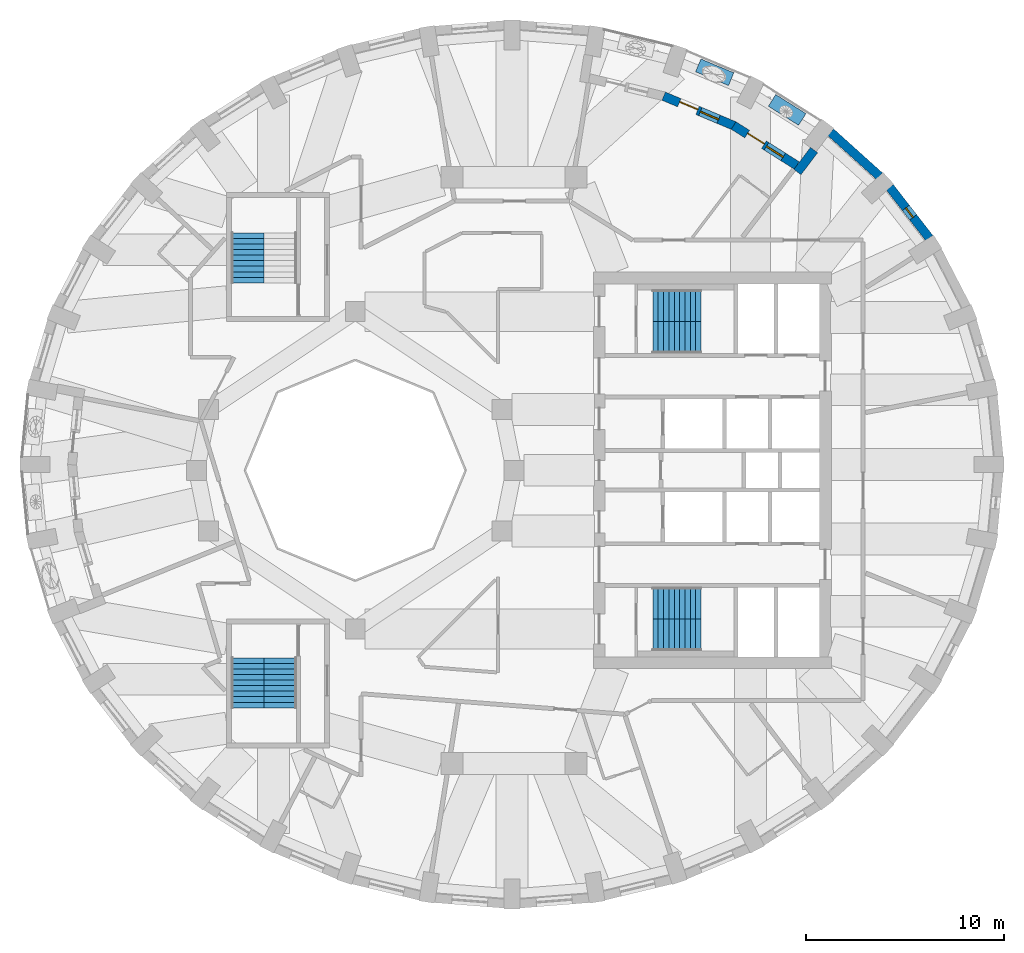
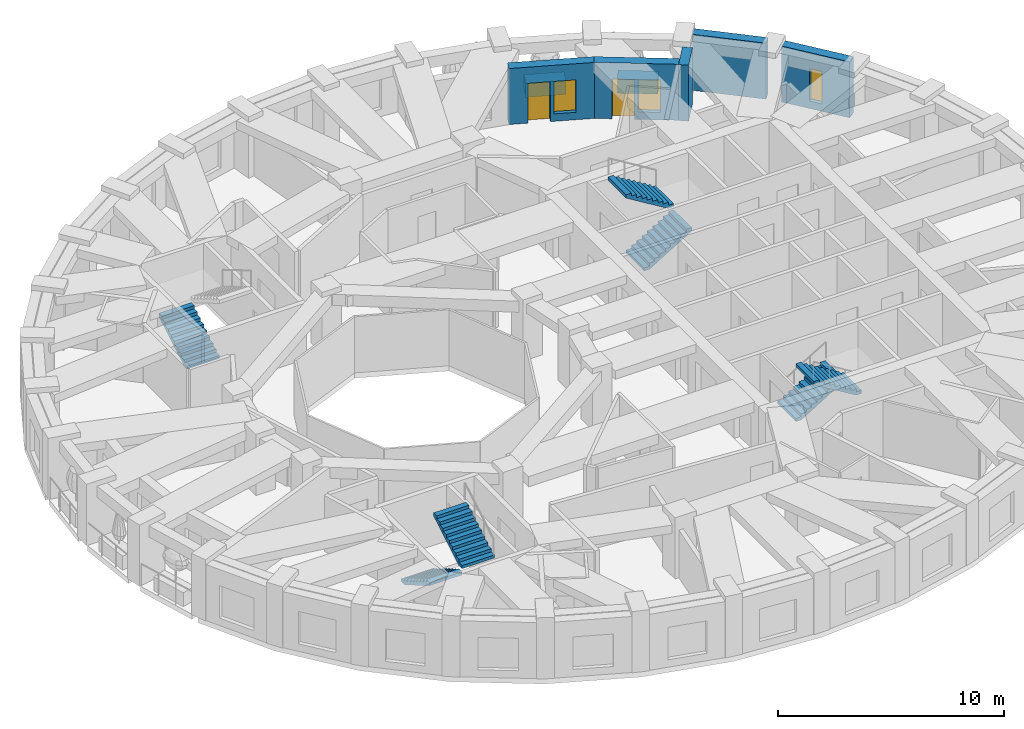
# One storey, part 8 of 12: 7 stair flights, 7 walls, 3 windows, 2 doors, 5 openings, 4 elements without a shape of their own.
"""IFC4 building model written with IfcOpenShell, lengths in metres."""

from ifc_helpers import new_model, si_unit, direction, frame, frame_2d, origin, place, context, subcontext, project, spatial, polyline, rectangle, outline, extrude, material, layer, layer_set, constituent, constituent_set, type_object, element, fill, aggregate, save


model = new_model("IFC4")

# Units and contexts
model_context = context("Model", 3, precision=1e-05, world=origin(), true_north=direction((0.0, 1.0)))
body_context = subcontext(model_context, "Body", "Model", "MODEL_VIEW")
ifc_project = project(units=[si_unit("LENGTHUNIT", "METRE"), si_unit("AREAUNIT", "SQUARE_METRE"), si_unit("VOLUMEUNIT", "CUBIC_METRE"), si_unit("PLANEANGLEUNIT", "RADIAN"), si_unit("MASSUNIT", "GRAM", prefix="KILO")], contexts=[model_context])

# Site, building, storey
site_placement = place(None, origin())
site = spatial("IfcSite", under=ifc_project, at=site_placement, CompositionType="ELEMENT")
building_placement = place(site_placement, origin())
building = spatial("IfcBuilding", under=site, at=building_placement, Name="Taillehof Tower", CompositionType="ELEMENT")
storey_placement = place(building_placement, frame((0.0, 0.0, 239.89990234375)))
storey = spatial("IfcBuildingStorey", under=building, at=storey_placement, Name="L68", CompositionType="ELEMENT", Elevation=239.89990234375)

# Wall, opening, window
ifc_material_1 = material(Name="Brick masonry", Category="masonry")
ifc_layer = layer(ifc_material_1, 0.449951171875)
ifc_layer_set = layer_set([ifc_layer], Name="Brick infill wall 450")
wall_type_1 = type_object("IfcWallType", Name="Brick infill wall 450", PredefinedType="SOLIDWALL", material=ifc_layer_set)
wall_1_placement = place(storey_placement, frame((20.93505859375, 11.70849609375, 0.0), z_axis=(0.0, 0.0, 1.0), x_axis=(-0.613862536705, 0.789412937587, 0.0)))
wall_1 = element("IfcWall", 1, at=wall_1_placement, inside=storey, type_object=wall_type_1, Name="Brick wall L68 bay 4", PredefinedType="SOLIDWALL", context=body_context, shape_type="SweptSolid", body=[
    extrude(rectangle(XDim=3.247314453125, YDim=0.449951171875, at=frame_2d((1.62353515625, 0.0))), origin(), (0.0, 0.0, 1.0), 3.02001953125),
])
opening_1_placement = place(wall_1_placement, frame((1.32373046875, 0.0, 0.39990234375)))
opening_1 = element("IfcOpeningElement", 2, at=opening_1_placement, cuts=wall_1, Name="Opening W6", PredefinedType="OPENING", context=body_context, shape_type="SweptSolid", body=[
    extrude(rectangle(XDim=0.60009765625, YDim=1.75, at=frame_2d((0.300048828125, 0.875))), frame((0.0, 0.23486328125, 0.0), z_axis=(0.0, -1.0, 0.0), x_axis=(1.0, 0.0, 0.0)), (0.0, 0.0, 1.0), 0.469970703125),
])
ifc_material_2 = material(Name="Aluminium window frame with clear double glazing", Category="aluminium")
window_type_1 = type_object("IfcWindowType", Name="Slot window 600x1750", PartitioningType="SINGLE_PANEL", PredefinedType="WINDOW", material=ifc_material_2)
window_1_placement = place(opening_1_placement, origin())
window_1 = element("IfcWindow", 3, at=window_1_placement, inside=storey, type_object=window_type_1, Name="W6", OverallHeight=1.75, OverallWidth=0.60009765625, PartitioningType="SINGLE_PANEL", PredefinedType="WINDOW", context=body_context, shape_type="SweptSolid", body=[
    extrude(rectangle(XDim=0.60009765625, YDim=1.75, at=frame_2d((0.300048828125, 0.875))), frame((0.0, 0.034912109375, 0.0), z_axis=(0.0, -1.0, 0.0), x_axis=(1.0, 0.0, 0.0)), (0.0, 0.0, 1.0), 0.06005859375),
])
fill(opening_1, window_1)

# Walls
wall_2_placement = place(storey_placement, frame((18.423828125, 14.828369140625, 0.0), z_axis=(0.0, 0.0, 1.0), x_axis=(-0.743166014219, 0.669107073128, 0.0)))
element("IfcWall", 4, at=wall_2_placement, inside=storey, type_object=wall_type_1, Name="Brick wall L68 bay 5", PredefinedType="SOLIDWALL", context=body_context, shape_type="SweptSolid", body=[
    extrude(rectangle(XDim=3.31640625, YDim=0.449951171875, at=frame_2d((1.658203125, 0.0))), origin(), (0.0, 0.0, 1.0), 3.02001953125),
])
wall_3_placement = place(storey_placement, frame((15.126953125, 16.144775390625, 0.0), z_axis=(0.0, 0.0, 1.0), x_axis=(-0.603952302908, -0.797020461351, 0.0)))
element("IfcWall", 5, at=wall_3_placement, inside=storey, type_object=wall_type_1, Name="Brick reveal L68 pocket 1", PredefinedType="SOLIDWALL", context=body_context, shape_type="SweptSolid", body=[
    extrude(rectangle(XDim=1.390869140625, YDim=0.449951171875, at=frame_2d((0.6953125, 0.0))), origin(), (0.0, 0.0, 1.0), 3.02001953125),
])

# Wall, openings, door, window
wall_4_placement = place(storey_placement, frame((14.255126953125, 15.36669921875, 0.0), z_axis=(0.0, 0.0, 1.0), x_axis=(-0.845183955488, 0.534475519912, 0.0)))
wall_4 = element("IfcWall", 6, at=wall_4_placement, inside=storey, type_object=wall_type_1, Name="Brick wall L68 pocket bay 6", PredefinedType="SOLIDWALL", context=body_context, shape_type="SweptSolid", body=[
    extrude(rectangle(XDim=3.7685546875, YDim=0.449951171875, at=frame_2d((1.88427734375, 0.0))), origin(), (0.0, 0.0, 1.0), 3.02001953125),
])
opening_2_placement = place(wall_4_placement, frame((0.809326171875, 0.0, 0.39990234375)))
opening_2 = element("IfcOpeningElement", 7, at=opening_2_placement, cuts=wall_4, Name="Opening W5", PredefinedType="OPENING", context=body_context, shape_type="SweptSolid", body=[
    extrude(rectangle(XDim=1.0, YDim=1.75, at=frame_2d((0.5, 0.875))), frame((0.0, 0.23486328125, 0.0), z_axis=(0.0, -1.0, 0.0), x_axis=(1.0, 0.0, 0.0)), (0.0, 0.0, 1.0), 0.469970703125),
])
opening_3_placement = place(wall_4_placement, frame((1.959228515625, 0.0, 0.0)))
opening_3 = element("IfcOpeningElement", 8, at=opening_3_placement, cuts=wall_4, Name="Opening D6894", PredefinedType="OPENING", context=body_context, shape_type="SweptSolid", body=[
    extrude(rectangle(XDim=1.0, YDim=2.14990234375, at=frame_2d((0.5, 1.074951171875))), frame((0.0, 0.23486328125, 0.0), z_axis=(0.0, -1.0, 0.0), x_axis=(1.0, 0.0, 0.0)), (0.0, 0.0, 1.0), 0.469970703125),
])
ifc_material_3 = material(Name="Aluminium door frame with clear double glazing", Category="aluminium")
door_type = type_object("IfcDoorType", Name="Balcony door 1000x2150", OperationType="SINGLE_SWING_RIGHT", PredefinedType="DOOR", material=ifc_material_3)
door_1_placement = place(opening_3_placement, frame((1.0, 0.0, 0.0), z_axis=(0.0, 0.0, 1.0), x_axis=(-1.0, 0.0, 0.0)))
door_1 = element("IfcDoor", 9, at=door_1_placement, inside=storey, type_object=door_type, Name="Balcony door L68 bay 6", OperationType="SINGLE_SWING_RIGHT", OverallHeight=2.14990234375, OverallWidth=1.0, PredefinedType="DOOR", context=body_context, shape_type="SweptSolid", body=[
    extrude(rectangle(XDim=1.0, YDim=2.14990234375, at=frame_2d((0.5, 1.074951171875))), frame((0.0, 0.0751953125, 0.0), z_axis=(0.0, -1.0, 0.0), x_axis=(1.0, 0.0, 0.0)), (0.0, 0.0, 1.0), 0.050048828125),
])
fill(opening_3, door_1)
ifc_material_4 = material(Name="Aluminium window frame with clear double glazing", Category="aluminium")
window_type_2 = type_object("IfcWindowType", Name="Fixed window 1000x1750", PartitioningType="SINGLE_PANEL", PredefinedType="WINDOW", material=ifc_material_4)
window_2_placement = place(opening_2_placement, origin())
window_2 = element("IfcWindow", 10, at=window_2_placement, inside=storey, type_object=window_type_2, Name="W5", OverallHeight=1.75, OverallWidth=1.0, PartitioningType="SINGLE_PANEL", PredefinedType="WINDOW", context=body_context, shape_type="SweptSolid", body=[
    extrude(rectangle(XDim=1.0, YDim=1.75, at=frame_2d((0.5, 0.875))), frame((0.0, 0.034912109375, 0.0), z_axis=(0.0, -1.0, 0.0), x_axis=(1.0, 0.0, 0.0)), (0.0, 0.0, 1.0), 0.06005859375),
])
fill(opening_2, window_2)

wall_5_placement = place(storey_placement, frame((11.10302734375, 17.363525390625, 0.0), z_axis=(0.0, 0.0, 1.0), x_axis=(-0.921612755574, 0.388110717145, 0.0)))
wall_5 = element("IfcWall", 11, at=wall_5_placement, inside=storey, type_object=wall_type_1, Name="Brick wall L68 pocket bay 7", PredefinedType="SOLIDWALL", context=body_context, shape_type="SweptSolid", body=[
    extrude(rectangle(XDim=3.8603515625, YDim=0.449951171875, at=frame_2d((1.93017578125, 0.0))), origin(), (0.0, 0.0, 1.0), 3.02001953125),
])
opening_4_placement = place(wall_5_placement, frame((0.855224609375, 0.0, 0.39990234375)))
opening_4 = element("IfcOpeningElement", 12, at=opening_4_placement, cuts=wall_5, Name="Opening W5", PredefinedType="OPENING", context=body_context, shape_type="SweptSolid", body=[
    extrude(rectangle(XDim=1.0, YDim=1.75, at=frame_2d((0.5, 0.875))), frame((0.0, 0.23486328125, 0.0), z_axis=(0.0, -1.0, 0.0), x_axis=(1.0, 0.0, 0.0)), (0.0, 0.0, 1.0), 0.469970703125),
])
opening_5_placement = place(wall_5_placement, frame((2.005126953125, 0.0, 0.0)))
opening_5 = element("IfcOpeningElement", 13, at=opening_5_placement, cuts=wall_5, Name="Opening D6895", PredefinedType="OPENING", context=body_context, shape_type="SweptSolid", body=[
    extrude(rectangle(XDim=1.0, YDim=2.14990234375, at=frame_2d((0.5, 1.074951171875))), frame((0.0, 0.23486328125, 0.0), z_axis=(0.0, -1.0, 0.0), x_axis=(1.0, 0.0, 0.0)), (0.0, 0.0, 1.0), 0.469970703125),
])
door_2_placement = place(opening_5_placement, frame((1.0, 0.0, 0.0), z_axis=(0.0, 0.0, 1.0), x_axis=(-1.0, 0.0, 0.0)))
door_2 = element("IfcDoor", 14, at=door_2_placement, inside=storey, type_object=door_type, Name="Balcony door L68 bay 7", OperationType="SINGLE_SWING_LEFT", OverallHeight=2.14990234375, OverallWidth=1.0, PredefinedType="DOOR", context=body_context, shape_type="SweptSolid", body=[
    extrude(rectangle(XDim=1.0, YDim=2.14990234375, at=frame_2d((0.5, 1.074951171875))), frame((0.0, 0.0751953125, 0.0), z_axis=(0.0, -1.0, 0.0), x_axis=(1.0, 0.0, 0.0)), (0.0, 0.0, 1.0), 0.050048828125),
])
fill(opening_5, door_2)
window_3_placement = place(opening_4_placement, origin())
window_3 = element("IfcWindow", 15, at=window_3_placement, inside=storey, type_object=window_type_2, Name="W5", OverallHeight=1.75, OverallWidth=1.0, PartitioningType="SINGLE_PANEL", PredefinedType="WINDOW", context=body_context, shape_type="SweptSolid", body=[
    extrude(rectangle(XDim=1.0, YDim=1.75, at=frame_2d((0.5, 0.875))), frame((0.0, 0.034912109375, 0.0), z_axis=(0.0, -1.0, 0.0), x_axis=(1.0, 0.0, 0.0)), (0.0, 0.0, 1.0), 0.06005859375),
])
fill(opening_4, window_3)

# Walls
ifc_material_5 = material(Name="Concrete C30/37 precast", Category="concrete")
ifc_constituent_1 = constituent(ifc_material_5, Name="Structure", Category="concrete")
ifc_material_6 = material(Name="Insulated lining")
ifc_constituent_2 = constituent(ifc_material_6, Name="Lining")
ifc_constituent_set = constituent_set(constituents=[ifc_constituent_1, ifc_constituent_2], Name="Planter trough 700x750")
wall_type_2 = type_object("IfcWallType", Name="Planter trough 700x750", PredefinedType="USERDEFINED", material=ifc_constituent_set)
wall_6_placement = place(storey_placement, frame((14.531005859375, 17.687255859375, 0.0), z_axis=(0.0, 0.0, 1.0), x_axis=(-0.845888351787, 0.533360006291, 0.0)))
element("IfcWall", 16, at=wall_6_placement, inside=storey, type_object=wall_type_2, Name="Planter L68 bay 6", ObjectType="PLANTER", PredefinedType="USERDEFINED", context=body_context, shape_type="SweptSolid", body=[
    extrude(rectangle(XDim=1.7998046875, YDim=0.699951171875, at=frame_2d((0.89990234375, 0.0))), origin(), (0.0, 0.0, 1.0), 0.75),
])
wall_7_placement = place(storey_placement, frame((10.947998046875, 19.717041015625, 0.0), z_axis=(0.0, 0.0, 1.0), x_axis=(-0.922038267928, 0.387098737374, 0.0)))
element("IfcWall", 17, at=wall_7_placement, inside=storey, type_object=wall_type_2, Name="Planter L68 bay 7", ObjectType="PLANTER", PredefinedType="USERDEFINED", context=body_context, shape_type="SweptSolid", body=[
    extrude(rectangle(XDim=1.800048828125, YDim=0.699951171875, at=frame_2d((0.89990234375, 0.0))), origin(), (0.0, 0.0, 1.0), 0.75),
])

# Stair, stair flights
ifc_material_7 = material(Name="Concrete C40/50", Category="concrete")
stair_type = type_object("IfcStairType", Name="Exit stair half-turn", PredefinedType="HALF_TURN_STAIR", material=ifc_material_7)
stair_1_placement = place(storey_placement, origin())
stair_1 = element("IfcStair", 18, at=stair_1_placement, inside=storey, type_object=stair_type, Name="Exit stair S1", PredefinedType="HALF_TURN_STAIR")
ifc_material_8 = material(Name="Concrete C40/50", Category="concrete")
stair_flight_type_1 = type_object("IfcStairFlightType", Name="Stair flight 1600 riser 165.0 going 270", PredefinedType="STRAIGHT", material=ifc_material_8)
stair_flight_1_placement = place(storey_placement, frame((7.0, 6.699951171875, 0.0), z_axis=(0.0, 0.0, 1.0), x_axis=(1.0, 0.0, 0.0)))
stair_flight_1 = element("IfcStairFlight", 19, at=stair_flight_1_placement, type_object=stair_flight_type_1, Name="S1 flight 1", NumberOfRisers=10, NumberOfTreads=9, PredefinedType="STRAIGHT", RiserHeight=0.165, TreadLength=0.27, context=body_context, shape_type="SweptSolid", body=[
    extrude(outline(polyline([(0.0, 0.0), (0.0, 0.00537109375), (0.0, 0.0107421875), (0.0, 0.015869140625), (0.0, 0.021240234375), (0.0, 0.026611328125), (0.0, 0.031982421875), (0.0, 0.037353515625), (0.0, 0.04248046875), (0.0, 0.0478515625), (0.0, 0.05322265625), (0.0, 0.05859375), (0.0, 0.06396484375), (0.0, 0.069091796875), (0.0, 0.074462890625), (0.0, 0.079833984375), (0.0, 0.085205078125), (0.0, 0.090576171875), (0.0, 0.095703125), (0.0, 0.10107421875), (0.0, 0.1064453125), (0.0, 0.11181640625), (0.0, 0.1171875), (0.0, 0.122314453125), (0.0, 0.127685546875), (0.0, 0.133056640625), (0.0, 0.138427734375), (0.0, 0.143798828125), (0.0, 0.14892578125), (0.0, 0.154296875), (0.0, 0.15966796875), (0.0, 0.1650390625), (0.27001953125, 0.1650390625), (0.27001953125, 0.330078125), (0.5400390625, 0.330078125), (0.5400390625, 0.4951171875), (0.81005859375, 0.4951171875), (0.81005859375, 0.659912109375), (1.080078125, 0.659912109375), (1.080078125, 0.824951171875), (1.35009765625, 0.824951171875), (1.35009765625, 0.989990234375), (1.6201171875, 0.989990234375), (1.6201171875, 1.155029296875), (1.889892578125, 1.155029296875), (1.889892578125, 1.320068359375), (2.159912109375, 1.320068359375), (2.159912109375, 1.485107421875), (2.429931640625, 1.485107421875), (2.429931640625, 1.479248046875), (2.429931640625, 1.4736328125), (2.429931640625, 1.468017578125), (2.429931640625, 1.46240234375), (2.429931640625, 1.45654296875), (2.429931640625, 1.450927734375), (2.429931640625, 1.4453125), (2.429931640625, 1.439697265625), (2.429931640625, 1.43408203125), (2.429931640625, 1.42822265625), (2.429931640625, 1.422607421875), (2.429931640625, 1.4169921875), (2.429931640625, 1.411376953125), (2.429931640625, 1.40576171875), (2.429931640625, 1.39990234375), (2.429931640625, 1.394287109375), (2.429931640625, 1.388671875), (2.429931640625, 1.383056640625), (2.429931640625, 1.37744140625), (2.429931640625, 1.37158203125), (2.429931640625, 1.365966796875), (2.429931640625, 1.3603515625), (2.429931640625, 1.354736328125), (2.429931640625, 1.348876953125), (2.429931640625, 1.34326171875), (2.429931640625, 1.337646484375), (2.429931640625, 1.33203125), (2.429931640625, 1.326416015625), (2.429931640625, 1.320556640625), (2.429931640625, 1.31494140625), (2.429931640625, 1.309326171875), (0.287353515625, 0.0), (0.0, 0.0)])), frame((0.0, 0.800048828125, 0.0), z_axis=(0.0, -1.0, 0.0), x_axis=(1.0, 0.0, 0.0)), (0.0, 0.0, 1.0), 1.6),
])
stair_flight_2_placement = place(storey_placement, frame((9.429931640625, 8.300048828125, 1.650146484375), z_axis=(0.0, 0.0, 1.0), x_axis=(-1.0, 0.0, 0.0)))
stair_flight_2 = element("IfcStairFlight", 20, at=stair_flight_2_placement, type_object=stair_flight_type_1, Name="S1 flight 2", NumberOfRisers=10, NumberOfTreads=9, PredefinedType="STRAIGHT", RiserHeight=0.165, TreadLength=0.27, context=body_context, shape_type="SweptSolid", body=[
    extrude(outline(polyline([(0.0, 0.0), (0.0, 0.00537109375), (0.0, 0.0107421875), (0.0, 0.015869140625), (0.0, 0.021240234375), (0.0, 0.026611328125), (0.0, 0.031982421875), (0.0, 0.037353515625), (0.0, 0.04248046875), (0.0, 0.0478515625), (0.0, 0.05322265625), (0.0, 0.05859375), (0.0, 0.06396484375), (0.0, 0.069091796875), (0.0, 0.074462890625), (0.0, 0.079833984375), (0.0, 0.085205078125), (0.0, 0.090576171875), (0.0, 0.095703125), (0.0, 0.10107421875), (0.0, 0.1064453125), (0.0, 0.11181640625), (0.0, 0.1171875), (0.0, 0.122314453125), (0.0, 0.127685546875), (0.0, 0.133056640625), (0.0, 0.138427734375), (0.0, 0.143798828125), (0.0, 0.14892578125), (0.0, 0.154296875), (0.0, 0.15966796875), (0.0, 0.1650390625), (0.27001953125, 0.1650390625), (0.27001953125, 0.330078125), (0.5400390625, 0.330078125), (0.5400390625, 0.4951171875), (0.81005859375, 0.4951171875), (0.81005859375, 0.659912109375), (1.080078125, 0.659912109375), (1.080078125, 0.824951171875), (1.35009765625, 0.824951171875), (1.35009765625, 0.989990234375), (1.6201171875, 0.989990234375), (1.6201171875, 1.155029296875), (1.889892578125, 1.155029296875), (1.889892578125, 1.320068359375), (2.159912109375, 1.320068359375), (2.159912109375, 1.485107421875), (2.429931640625, 1.485107421875), (2.429931640625, 1.479248046875), (2.429931640625, 1.4736328125), (2.429931640625, 1.468017578125), (2.429931640625, 1.46240234375), (2.429931640625, 1.45654296875), (2.429931640625, 1.450927734375), (2.429931640625, 1.4453125), (2.429931640625, 1.439697265625), (2.429931640625, 1.43408203125), (2.429931640625, 1.42822265625), (2.429931640625, 1.422607421875), (2.429931640625, 1.4169921875), (2.429931640625, 1.411376953125), (2.429931640625, 1.40576171875), (2.429931640625, 1.39990234375), (2.429931640625, 1.394287109375), (2.429931640625, 1.388671875), (2.429931640625, 1.383056640625), (2.429931640625, 1.37744140625), (2.429931640625, 1.37158203125), (2.429931640625, 1.365966796875), (2.429931640625, 1.3603515625), (2.429931640625, 1.354736328125), (2.429931640625, 1.348876953125), (2.429931640625, 1.34326171875), (2.429931640625, 1.337646484375), (2.429931640625, 1.33203125), (2.429931640625, 1.326416015625), (2.429931640625, 1.320556640625), (2.429931640625, 1.31494140625), (2.429931640625, 1.309326171875), (0.287353515625, 0.0), (0.0, 0.0)])), frame((0.0, 0.800048828125, 0.0), z_axis=(0.0, -1.0, 0.0), x_axis=(1.0, 0.0, 0.0)), (0.0, 0.0, 1.0), 1.6),
])
aggregate(stair_1, [stair_flight_1, stair_flight_2])

stair_2_placement = place(storey_placement, origin())
stair_2 = element("IfcStair", 21, at=stair_2_placement, inside=storey, type_object=stair_type, Name="Exit stair S2", PredefinedType="HALF_TURN_STAIR")
stair_flight_3_placement = place(storey_placement, frame((7.0, -6.699951171875, 0.0), z_axis=(0.0, 0.0, 1.0), x_axis=(1.0, 0.0, 0.0)))
stair_flight_3 = element("IfcStairFlight", 22, at=stair_flight_3_placement, type_object=stair_flight_type_1, Name="S2 flight 1", NumberOfRisers=10, NumberOfTreads=9, PredefinedType="STRAIGHT", RiserHeight=0.165, TreadLength=0.27, context=body_context, shape_type="SweptSolid", body=[
    extrude(outline(polyline([(0.0, 0.0), (0.0, 0.00537109375), (0.0, 0.0107421875), (0.0, 0.015869140625), (0.0, 0.021240234375), (0.0, 0.026611328125), (0.0, 0.031982421875), (0.0, 0.037353515625), (0.0, 0.04248046875), (0.0, 0.0478515625), (0.0, 0.05322265625), (0.0, 0.05859375), (0.0, 0.06396484375), (0.0, 0.069091796875), (0.0, 0.074462890625), (0.0, 0.079833984375), (0.0, 0.085205078125), (0.0, 0.090576171875), (0.0, 0.095703125), (0.0, 0.10107421875), (0.0, 0.1064453125), (0.0, 0.11181640625), (0.0, 0.1171875), (0.0, 0.122314453125), (0.0, 0.127685546875), (0.0, 0.133056640625), (0.0, 0.138427734375), (0.0, 0.143798828125), (0.0, 0.14892578125), (0.0, 0.154296875), (0.0, 0.15966796875), (0.0, 0.1650390625), (0.27001953125, 0.1650390625), (0.27001953125, 0.330078125), (0.5400390625, 0.330078125), (0.5400390625, 0.4951171875), (0.81005859375, 0.4951171875), (0.81005859375, 0.659912109375), (1.080078125, 0.659912109375), (1.080078125, 0.824951171875), (1.35009765625, 0.824951171875), (1.35009765625, 0.989990234375), (1.6201171875, 0.989990234375), (1.6201171875, 1.155029296875), (1.889892578125, 1.155029296875), (1.889892578125, 1.320068359375), (2.159912109375, 1.320068359375), (2.159912109375, 1.485107421875), (2.429931640625, 1.485107421875), (2.429931640625, 1.479248046875), (2.429931640625, 1.4736328125), (2.429931640625, 1.468017578125), (2.429931640625, 1.46240234375), (2.429931640625, 1.45654296875), (2.429931640625, 1.450927734375), (2.429931640625, 1.4453125), (2.429931640625, 1.439697265625), (2.429931640625, 1.43408203125), (2.429931640625, 1.42822265625), (2.429931640625, 1.422607421875), (2.429931640625, 1.4169921875), (2.429931640625, 1.411376953125), (2.429931640625, 1.40576171875), (2.429931640625, 1.39990234375), (2.429931640625, 1.394287109375), (2.429931640625, 1.388671875), (2.429931640625, 1.383056640625), (2.429931640625, 1.37744140625), (2.429931640625, 1.37158203125), (2.429931640625, 1.365966796875), (2.429931640625, 1.3603515625), (2.429931640625, 1.354736328125), (2.429931640625, 1.348876953125), (2.429931640625, 1.34326171875), (2.429931640625, 1.337646484375), (2.429931640625, 1.33203125), (2.429931640625, 1.326416015625), (2.429931640625, 1.320556640625), (2.429931640625, 1.31494140625), (2.429931640625, 1.309326171875), (0.287353515625, 0.0), (0.0, 0.0)])), frame((0.0, 0.800048828125, 0.0), z_axis=(0.0, -1.0, 0.0), x_axis=(1.0, 0.0, 0.0)), (0.0, 0.0, 1.0), 1.6),
])
stair_flight_4_placement = place(storey_placement, frame((9.429931640625, -8.300048828125, 1.650146484375), z_axis=(0.0, 0.0, 1.0), x_axis=(-1.0, 0.0, 0.0)))
stair_flight_4 = element("IfcStairFlight", 23, at=stair_flight_4_placement, type_object=stair_flight_type_1, Name="S2 flight 2", NumberOfRisers=10, NumberOfTreads=9, PredefinedType="STRAIGHT", RiserHeight=0.165, TreadLength=0.27, context=body_context, shape_type="SweptSolid", body=[
    extrude(outline(polyline([(0.0, 0.0), (0.0, 0.00537109375), (0.0, 0.0107421875), (0.0, 0.015869140625), (0.0, 0.021240234375), (0.0, 0.026611328125), (0.0, 0.031982421875), (0.0, 0.037353515625), (0.0, 0.04248046875), (0.0, 0.0478515625), (0.0, 0.05322265625), (0.0, 0.05859375), (0.0, 0.06396484375), (0.0, 0.069091796875), (0.0, 0.074462890625), (0.0, 0.079833984375), (0.0, 0.085205078125), (0.0, 0.090576171875), (0.0, 0.095703125), (0.0, 0.10107421875), (0.0, 0.1064453125), (0.0, 0.11181640625), (0.0, 0.1171875), (0.0, 0.122314453125), (0.0, 0.127685546875), (0.0, 0.133056640625), (0.0, 0.138427734375), (0.0, 0.143798828125), (0.0, 0.14892578125), (0.0, 0.154296875), (0.0, 0.15966796875), (0.0, 0.1650390625), (0.27001953125, 0.1650390625), (0.27001953125, 0.330078125), (0.5400390625, 0.330078125), (0.5400390625, 0.4951171875), (0.81005859375, 0.4951171875), (0.81005859375, 0.659912109375), (1.080078125, 0.659912109375), (1.080078125, 0.824951171875), (1.35009765625, 0.824951171875), (1.35009765625, 0.989990234375), (1.6201171875, 0.989990234375), (1.6201171875, 1.155029296875), (1.889892578125, 1.155029296875), (1.889892578125, 1.320068359375), (2.159912109375, 1.320068359375), (2.159912109375, 1.485107421875), (2.429931640625, 1.485107421875), (2.429931640625, 1.479248046875), (2.429931640625, 1.4736328125), (2.429931640625, 1.468017578125), (2.429931640625, 1.46240234375), (2.429931640625, 1.45654296875), (2.429931640625, 1.450927734375), (2.429931640625, 1.4453125), (2.429931640625, 1.439697265625), (2.429931640625, 1.43408203125), (2.429931640625, 1.42822265625), (2.429931640625, 1.422607421875), (2.429931640625, 1.4169921875), (2.429931640625, 1.411376953125), (2.429931640625, 1.40576171875), (2.429931640625, 1.39990234375), (2.429931640625, 1.394287109375), (2.429931640625, 1.388671875), (2.429931640625, 1.383056640625), (2.429931640625, 1.37744140625), (2.429931640625, 1.37158203125), (2.429931640625, 1.365966796875), (2.429931640625, 1.3603515625), (2.429931640625, 1.354736328125), (2.429931640625, 1.348876953125), (2.429931640625, 1.34326171875), (2.429931640625, 1.337646484375), (2.429931640625, 1.33203125), (2.429931640625, 1.326416015625), (2.429931640625, 1.320556640625), (2.429931640625, 1.31494140625), (2.429931640625, 1.309326171875), (0.287353515625, 0.0), (0.0, 0.0)])), frame((0.0, 0.800048828125, 0.0), z_axis=(0.0, -1.0, 0.0), x_axis=(1.0, 0.0, 0.0)), (0.0, 0.0, 1.0), 1.6),
])
aggregate(stair_2, [stair_flight_3, stair_flight_4])

# Stair, stair flight
stair_3_placement = place(storey_placement, origin())
stair_3 = element("IfcStair", 24, at=stair_3_placement, inside=storey, type_object=stair_type, Name="Exit stair S3", PredefinedType="HALF_TURN_STAIR")
ifc_material_9 = material(Name="Concrete C40/50", Category="concrete")
stair_flight_type_2 = type_object("IfcStairFlightType", Name="Stair flight 1650 riser 165.0 going 280", PredefinedType="STRAIGHT", material=ifc_material_9)
stair_flight_5_placement = place(storey_placement, frame((-13.425048828125, 9.449951171875, 0.0), z_axis=(0.0, 0.0, 1.0), x_axis=(0.0, 1.0, 0.0)))
stair_flight_5 = element("IfcStairFlight", 25, at=stair_flight_5_placement, type_object=stair_flight_type_2, Name="S3 flight 1", NumberOfRisers=10, NumberOfTreads=9, PredefinedType="STRAIGHT", RiserHeight=0.165, TreadLength=0.28, context=body_context, shape_type="SweptSolid", body=[
    extrude(outline(polyline([(0.0, 0.0), (0.0, 0.00537109375), (0.0, 0.0107421875), (0.0, 0.015869140625), (0.0, 0.021240234375), (0.0, 0.026611328125), (0.0, 0.031982421875), (0.0, 0.037353515625), (0.0, 0.04248046875), (0.0, 0.0478515625), (0.0, 0.05322265625), (0.0, 0.05859375), (0.0, 0.06396484375), (0.0, 0.069091796875), (0.0, 0.074462890625), (0.0, 0.079833984375), (0.0, 0.085205078125), (0.0, 0.090576171875), (0.0, 0.095703125), (0.0, 0.10107421875), (0.0, 0.1064453125), (0.0, 0.11181640625), (0.0, 0.1171875), (0.0, 0.122314453125), (0.0, 0.127685546875), (0.0, 0.133056640625), (0.0, 0.138427734375), (0.0, 0.143798828125), (0.0, 0.14892578125), (0.0, 0.154296875), (0.0, 0.15966796875), (0.0, 0.1650390625), (0.280029296875, 0.1650390625), (0.280029296875, 0.330078125), (0.56005859375, 0.330078125), (0.56005859375, 0.4951171875), (0.840087890625, 0.4951171875), (0.840087890625, 0.659912109375), (1.1201171875, 0.659912109375), (1.1201171875, 0.824951171875), (1.39990234375, 0.824951171875), (1.39990234375, 0.989990234375), (1.679931640625, 0.989990234375), (1.679931640625, 1.155029296875), (1.9599609375, 1.155029296875), (1.9599609375, 1.320068359375), (2.239990234375, 1.320068359375), (2.239990234375, 1.485107421875), (2.52001953125, 1.485107421875), (2.52001953125, 1.4794921875), (2.52001953125, 1.473876953125), (2.52001953125, 1.46826171875), (2.52001953125, 1.462646484375), (2.52001953125, 1.45703125), (2.52001953125, 1.451416015625), (2.52001953125, 1.44580078125), (2.52001953125, 1.440185546875), (2.52001953125, 1.4345703125), (2.52001953125, 1.428955078125), (2.52001953125, 1.42333984375), (2.52001953125, 1.417724609375), (2.52001953125, 1.412109375), (2.52001953125, 1.406494140625), (2.52001953125, 1.40087890625), (2.52001953125, 1.395263671875), (2.52001953125, 1.3896484375), (2.52001953125, 1.384033203125), (2.52001953125, 1.37841796875), (2.52001953125, 1.372802734375), (2.52001953125, 1.3671875), (2.52001953125, 1.361572265625), (2.52001953125, 1.35595703125), (2.52001953125, 1.350341796875), (2.52001953125, 1.3447265625), (2.52001953125, 1.339111328125), (2.52001953125, 1.33349609375), (2.52001953125, 1.327880859375), (2.52001953125, 1.322265625), (2.52001953125, 1.316650390625), (2.52001953125, 1.31103515625), (0.295166015625, 0.0), (0.0, 0.0)])), frame((0.0, 0.824951171875, 0.0), z_axis=(0.0, -1.0, 0.0), x_axis=(1.0, 0.0, 0.0)), (0.0, 0.0, 1.0), 1.65),
])
aggregate(stair_3, [stair_flight_5])

# Stair, stair flights
stair_4_placement = place(storey_placement, origin())
stair_4 = element("IfcStair", 26, at=stair_4_placement, inside=storey, type_object=stair_type, Name="Exit stair S4", PredefinedType="HALF_TURN_STAIR")
stair_flight_6_placement = place(storey_placement, frame((-13.425048828125, -9.449951171875, 0.0), z_axis=(0.0, 0.0, 1.0), x_axis=(0.0, -1.0, 0.0)))
stair_flight_6 = element("IfcStairFlight", 27, at=stair_flight_6_placement, type_object=stair_flight_type_2, Name="S4 flight 1", NumberOfRisers=10, NumberOfTreads=9, PredefinedType="STRAIGHT", RiserHeight=0.165, TreadLength=0.28, context=body_context, shape_type="SweptSolid", body=[
    extrude(outline(polyline([(0.0, 0.0), (0.0, 0.00537109375), (0.0, 0.0107421875), (0.0, 0.015869140625), (0.0, 0.021240234375), (0.0, 0.026611328125), (0.0, 0.031982421875), (0.0, 0.037353515625), (0.0, 0.04248046875), (0.0, 0.0478515625), (0.0, 0.05322265625), (0.0, 0.05859375), (0.0, 0.06396484375), (0.0, 0.069091796875), (0.0, 0.074462890625), (0.0, 0.079833984375), (0.0, 0.085205078125), (0.0, 0.090576171875), (0.0, 0.095703125), (0.0, 0.10107421875), (0.0, 0.1064453125), (0.0, 0.11181640625), (0.0, 0.1171875), (0.0, 0.122314453125), (0.0, 0.127685546875), (0.0, 0.133056640625), (0.0, 0.138427734375), (0.0, 0.143798828125), (0.0, 0.14892578125), (0.0, 0.154296875), (0.0, 0.15966796875), (0.0, 0.1650390625), (0.280029296875, 0.1650390625), (0.280029296875, 0.330078125), (0.56005859375, 0.330078125), (0.56005859375, 0.4951171875), (0.840087890625, 0.4951171875), (0.840087890625, 0.659912109375), (1.1201171875, 0.659912109375), (1.1201171875, 0.824951171875), (1.39990234375, 0.824951171875), (1.39990234375, 0.989990234375), (1.679931640625, 0.989990234375), (1.679931640625, 1.155029296875), (1.9599609375, 1.155029296875), (1.9599609375, 1.320068359375), (2.239990234375, 1.320068359375), (2.239990234375, 1.485107421875), (2.52001953125, 1.485107421875), (2.52001953125, 1.4794921875), (2.52001953125, 1.473876953125), (2.52001953125, 1.46826171875), (2.52001953125, 1.462646484375), (2.52001953125, 1.45703125), (2.52001953125, 1.451416015625), (2.52001953125, 1.44580078125), (2.52001953125, 1.440185546875), (2.52001953125, 1.4345703125), (2.52001953125, 1.428955078125), (2.52001953125, 1.42333984375), (2.52001953125, 1.417724609375), (2.52001953125, 1.412109375), (2.52001953125, 1.406494140625), (2.52001953125, 1.40087890625), (2.52001953125, 1.395263671875), (2.52001953125, 1.3896484375), (2.52001953125, 1.384033203125), (2.52001953125, 1.37841796875), (2.52001953125, 1.372802734375), (2.52001953125, 1.3671875), (2.52001953125, 1.361572265625), (2.52001953125, 1.35595703125), (2.52001953125, 1.350341796875), (2.52001953125, 1.3447265625), (2.52001953125, 1.339111328125), (2.52001953125, 1.33349609375), (2.52001953125, 1.327880859375), (2.52001953125, 1.322265625), (2.52001953125, 1.316650390625), (2.52001953125, 1.31103515625), (0.295166015625, 0.0), (0.0, 0.0)])), frame((0.0, 0.824951171875, 0.0), z_axis=(0.0, -1.0, 0.0), x_axis=(1.0, 0.0, 0.0)), (0.0, 0.0, 1.0), 1.65),
])
stair_flight_7_placement = place(storey_placement, frame((-11.77490234375, -11.969970703125, 1.650146484375), z_axis=(0.0, 0.0, 1.0), x_axis=(0.0, 1.0, 0.0)))
stair_flight_7 = element("IfcStairFlight", 28, at=stair_flight_7_placement, type_object=stair_flight_type_2, Name="S4 flight 2", NumberOfRisers=10, NumberOfTreads=9, PredefinedType="STRAIGHT", RiserHeight=0.165, TreadLength=0.28, context=body_context, shape_type="SweptSolid", body=[
    extrude(outline(polyline([(0.0, 0.0), (0.0, 0.00537109375), (0.0, 0.0107421875), (0.0, 0.015869140625), (0.0, 0.021240234375), (0.0, 0.026611328125), (0.0, 0.031982421875), (0.0, 0.037353515625), (0.0, 0.04248046875), (0.0, 0.0478515625), (0.0, 0.05322265625), (0.0, 0.05859375), (0.0, 0.06396484375), (0.0, 0.069091796875), (0.0, 0.074462890625), (0.0, 0.079833984375), (0.0, 0.085205078125), (0.0, 0.090576171875), (0.0, 0.095703125), (0.0, 0.10107421875), (0.0, 0.1064453125), (0.0, 0.11181640625), (0.0, 0.1171875), (0.0, 0.122314453125), (0.0, 0.127685546875), (0.0, 0.133056640625), (0.0, 0.138427734375), (0.0, 0.143798828125), (0.0, 0.14892578125), (0.0, 0.154296875), (0.0, 0.15966796875), (0.0, 0.1650390625), (0.280029296875, 0.1650390625), (0.280029296875, 0.330078125), (0.56005859375, 0.330078125), (0.56005859375, 0.4951171875), (0.840087890625, 0.4951171875), (0.840087890625, 0.659912109375), (1.1201171875, 0.659912109375), (1.1201171875, 0.824951171875), (1.39990234375, 0.824951171875), (1.39990234375, 0.989990234375), (1.679931640625, 0.989990234375), (1.679931640625, 1.155029296875), (1.9599609375, 1.155029296875), (1.9599609375, 1.320068359375), (2.239990234375, 1.320068359375), (2.239990234375, 1.485107421875), (2.52001953125, 1.485107421875), (2.52001953125, 1.4794921875), (2.52001953125, 1.473876953125), (2.52001953125, 1.46826171875), (2.52001953125, 1.462646484375), (2.52001953125, 1.45703125), (2.52001953125, 1.451416015625), (2.52001953125, 1.44580078125), (2.52001953125, 1.440185546875), (2.52001953125, 1.4345703125), (2.52001953125, 1.428955078125), (2.52001953125, 1.42333984375), (2.52001953125, 1.417724609375), (2.52001953125, 1.412109375), (2.52001953125, 1.406494140625), (2.52001953125, 1.40087890625), (2.52001953125, 1.395263671875), (2.52001953125, 1.3896484375), (2.52001953125, 1.384033203125), (2.52001953125, 1.37841796875), (2.52001953125, 1.372802734375), (2.52001953125, 1.3671875), (2.52001953125, 1.361572265625), (2.52001953125, 1.35595703125), (2.52001953125, 1.350341796875), (2.52001953125, 1.3447265625), (2.52001953125, 1.339111328125), (2.52001953125, 1.33349609375), (2.52001953125, 1.327880859375), (2.52001953125, 1.322265625), (2.52001953125, 1.316650390625), (2.52001953125, 1.31103515625), (0.295166015625, 0.0), (0.0, 0.0)])), frame((0.0, 0.824951171875, 0.0), z_axis=(0.0, -1.0, 0.0), x_axis=(1.0, 0.0, 0.0)), (0.0, 0.0, 1.0), 1.65),
])
aggregate(stair_4, [stair_flight_6, stair_flight_7])

save(model, "model.ifc")
